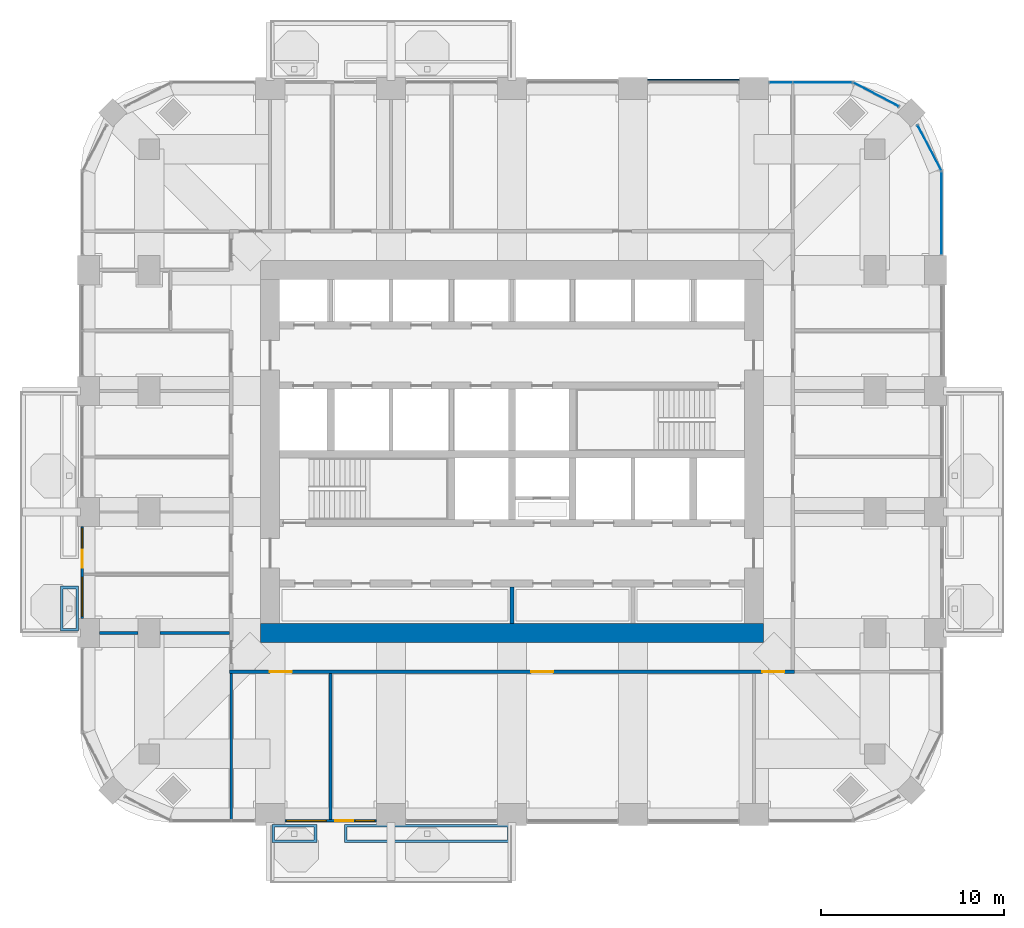
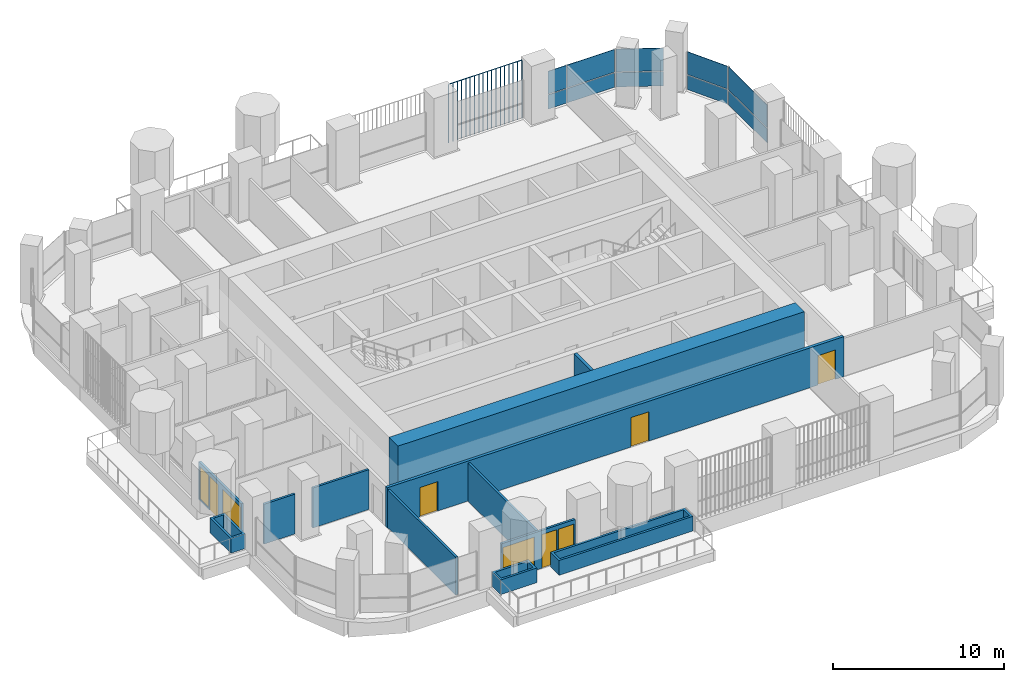
# One storey, part 11 of 20: 12 walls, 11 plates, 5 doors, 4 windows, 9 openings, 4 elements without a shape of their own.
"""IFC4 building model written with IfcOpenShell, lengths in metres."""

from ifc_helpers import new_model, si_unit, direction, frame, frame_2d, origin, origin_2d, place, context, subcontext, project, spatial, polyline, rectangle, outline, extrude, material, layer, layer_set, type_object, element, fill, aggregate, save


model = new_model("IFC4")

# Units and contexts
model_context = context("Model", 3, precision=1e-05, world=origin(), true_north=direction((0.0, 1.0)))
body_context = subcontext(model_context, "Body", "Model", "MODEL_VIEW")
ifc_project = project(units=[si_unit("LENGTHUNIT", "METRE"), si_unit("AREAUNIT", "SQUARE_METRE"), si_unit("VOLUMEUNIT", "CUBIC_METRE"), si_unit("PLANEANGLEUNIT", "RADIAN"), si_unit("MASSUNIT", "GRAM", prefix="KILO")], contexts=[model_context])

# Site, building, storey
site_placement = place(None, origin())
site = spatial("IfcSite", under=ifc_project, at=site_placement, CompositionType="ELEMENT")
building_placement = place(site_placement, origin())
building = spatial("IfcBuilding", under=site, at=building_placement, Name="Cobogo Forest Laboratory Tower", CompositionType="ELEMENT")
storey_placement = place(building_placement, frame((0.0, 0.0, 201.89990234375)))
storey = spatial("IfcBuildingStorey", under=building, at=storey_placement, Name="L46", CompositionType="ELEMENT", Elevation=201.89990234375)

# Curtain wall, plates
ifc_material_1 = material(Name="Aluminium curtain wall", Category="aluminium")
curtain_wall_type = type_object("IfcCurtainWallType", Name="CW-2 unitised curtain wall, solar control glazing, laboratory floors zones C and D", PredefinedType="USERDEFINED", material=ifc_material_1)
curtain_wall_1_placement = place(storey_placement, origin())
curtain_wall_1 = element("IfcCurtainWall", 1, at=curtain_wall_1_placement, inside=storey, type_object=curtain_wall_type, Name="Curtain wall 13 L46", ObjectType="UNITISED CURTAIN WALL", PredefinedType="USERDEFINED")
ifc_material_2 = material(Name="Solar control insulated glass", Category="glass")
ifc_layer_1 = layer(ifc_material_2, 0.031982421875)
ifc_layer_set_1 = layer_set([ifc_layer_1], Name="GP-2 solar control glass unit 32")
plate_type_1 = type_object("IfcPlateType", Name="GP-2 solar control glass unit 32", PredefinedType="CURTAIN_PANEL", material=ifc_layer_set_1)
plate_1_placement = place(storey_placement, frame((49.85009765625, 36.10009765625, 0.0), z_axis=(0.0, 0.0, 1.0), x_axis=(0.0, 1.0, 0.0)))
plate_1 = element("IfcPlate", 2, at=plate_1_placement, type_object=plate_type_1, Name="CW-2 panel 1.1", PredefinedType="CURTAIN_PANEL", context=body_context, shape_type="SweptSolid", body=[
    extrude(rectangle(XDim=4.47998046875, YDim=0.031982421875, at=origin_2d()), origin(), (0.0, 0.0, 1.0), 1.02001953125),
])
plate_2_placement = place(storey_placement, frame((49.85009765625, 36.10009765625, 1.080078125), z_axis=(0.0, 0.0, 1.0), x_axis=(0.0, 1.0, 0.0)))
plate_2 = element("IfcPlate", 3, at=plate_2_placement, type_object=plate_type_1, Name="CW-2 panel 1.2", PredefinedType="CURTAIN_PANEL", context=body_context, shape_type="SweptSolid", body=[
    extrude(rectangle(XDim=4.47998046875, YDim=0.031982421875, at=origin_2d()), origin(), (0.0, 0.0, 1.0), 1.6201171875),
])
aggregate(curtain_wall_1, [plate_1, plate_2])

curtain_wall_2_placement = place(storey_placement, origin())
curtain_wall_2 = element("IfcCurtainWall", 4, at=curtain_wall_2_placement, inside=storey, type_object=curtain_wall_type, Name="Curtain wall 14 L46", ObjectType="UNITISED CURTAIN WALL", PredefinedType="USERDEFINED")
plate_3_placement = place(storey_placement, frame((49.181396484375, 39.675537109375, 0.0), z_axis=(0.0, 0.0, 1.0), x_axis=(-0.464283804832, 0.885686484356, 0.0)))
plate_3 = element("IfcPlate", 5, at=plate_3_placement, type_object=plate_type_1, Name="CW-2 panel 1.1", PredefinedType="CURTAIN_PANEL", context=body_context, shape_type="SweptSolid", body=[
    extrude(rectangle(XDim=2.76025390625, YDim=0.031982421875, at=origin_2d()), origin(), (0.0, 0.0, 1.0), 1.02001953125),
])
plate_4_placement = place(storey_placement, frame((49.181396484375, 39.675537109375, 1.080078125), z_axis=(0.0, 0.0, 1.0), x_axis=(-0.464283804832, 0.885686484356, 0.0)))
plate_4 = element("IfcPlate", 6, at=plate_4_placement, type_object=plate_type_1, Name="CW-2 panel 1.2", PredefinedType="CURTAIN_PANEL", context=body_context, shape_type="SweptSolid", body=[
    extrude(rectangle(XDim=2.76025390625, YDim=0.031982421875, at=origin_2d()), origin(), (0.0, 0.0, 1.0), 1.6201171875),
])
aggregate(curtain_wall_2, [plate_3, plate_4])

curtain_wall_3_placement = place(storey_placement, origin())
curtain_wall_3 = element("IfcCurtainWall", 7, at=curtain_wall_3_placement, inside=storey, type_object=curtain_wall_type, Name="Curtain wall 15 L46", ObjectType="UNITISED CURTAIN WALL", PredefinedType="USERDEFINED")
plate_5_placement = place(storey_placement, frame((46.275634765625, 42.581298828125, 0.0), z_axis=(0.0, 0.0, 1.0), x_axis=(-0.885686484356, 0.464283804832, 0.0)))
plate_5 = element("IfcPlate", 8, at=plate_5_placement, type_object=plate_type_1, Name="CW-2 panel 1.1", PredefinedType="CURTAIN_PANEL", context=body_context, shape_type="SweptSolid", body=[
    extrude(rectangle(XDim=2.76025390625, YDim=0.031982421875, at=origin_2d()), origin(), (0.0, 0.0, 1.0), 1.02001953125),
])
plate_6_placement = place(storey_placement, frame((46.275634765625, 42.581298828125, 1.080078125), z_axis=(0.0, 0.0, 1.0), x_axis=(-0.885686484356, 0.464283804832, 0.0)))
plate_6 = element("IfcPlate", 9, at=plate_6_placement, type_object=plate_type_1, Name="CW-2 panel 1.2", PredefinedType="CURTAIN_PANEL", context=body_context, shape_type="SweptSolid", body=[
    extrude(rectangle(XDim=2.76025390625, YDim=0.031982421875, at=origin_2d()), origin(), (0.0, 0.0, 1.0), 1.6201171875),
])
aggregate(curtain_wall_3, [plate_5, plate_6])

curtain_wall_4_placement = place(storey_placement, origin())
curtain_wall_4 = element("IfcCurtainWall", 10, at=curtain_wall_4_placement, inside=storey, type_object=curtain_wall_type, Name="Curtain wall 16 L46", ObjectType="UNITISED CURTAIN WALL", PredefinedType="USERDEFINED")
plate_7_placement = place(storey_placement, frame((43.347412109375, 43.25, 0.0), z_axis=(0.0, 0.0, 1.0), x_axis=(-1.0, 0.0, 0.0)))
plate_7 = element("IfcPlate", 11, at=plate_7_placement, type_object=plate_type_1, Name="CW-2 panel 1.1", PredefinedType="CURTAIN_PANEL", context=body_context, shape_type="SweptSolid", body=[
    extrude(rectangle(XDim=3.18505859375, YDim=0.031982421875, at=origin_2d()), origin(), (0.0, 0.0, 1.0), 1.02001953125),
])
plate_8_placement = place(storey_placement, frame((43.347412109375, 43.25, 1.080078125), z_axis=(0.0, 0.0, 1.0), x_axis=(-1.0, 0.0, 0.0)))
plate_8 = element("IfcPlate", 12, at=plate_8_placement, type_object=plate_type_1, Name="CW-2 panel 1.2", PredefinedType="CURTAIN_PANEL", context=body_context, shape_type="SweptSolid", body=[
    extrude(rectangle(XDim=3.18505859375, YDim=0.031982421875, at=origin_2d()), origin(), (0.0, 0.0, 1.0), 1.6201171875),
])
plate_9_placement = place(storey_placement, frame((41.077392578125, 43.25, 0.0), z_axis=(0.0, 0.0, 1.0), x_axis=(-1.0, 0.0, 0.0)))
plate_9 = element("IfcPlate", 13, at=plate_9_placement, type_object=plate_type_1, Name="CW-2 panel 2.1", PredefinedType="CURTAIN_PANEL", context=body_context, shape_type="SweptSolid", body=[
    extrude(rectangle(XDim=1.235107421875, YDim=0.031982421875, at=origin_2d()), origin(), (0.0, 0.0, 1.0), 1.02001953125),
])
plate_10_placement = place(storey_placement, frame((41.077392578125, 43.25, 1.080078125), z_axis=(0.0, 0.0, 1.0), x_axis=(-1.0, 0.0, 0.0)))
plate_10 = element("IfcPlate", 14, at=plate_10_placement, type_object=plate_type_1, Name="CW-2 panel 2.2", PredefinedType="CURTAIN_PANEL", context=body_context, shape_type="SweptSolid", body=[
    extrude(rectangle(XDim=1.235107421875, YDim=0.031982421875, at=origin_2d()), origin(), (0.0, 0.0, 1.0), 1.6201171875),
])
aggregate(curtain_wall_4, [plate_7, plate_8, plate_9, plate_10])

# Plate
ifc_material_3 = material(Name="Terracotta", Category="masonry")
plate_type_2 = type_object("IfcPlateType", Name="TB1 terracotta baguette screen", PredefinedType="USERDEFINED", material=ifc_material_3)
plate_11_placement = place(storey_placement, frame((33.831298828125, 43.3779296875, -0.14990234375)))
element("IfcPlate", 15, at=plate_11_placement, inside=storey, type_object=plate_type_2, Name="Baguette screen N4 L46", ObjectType="BAGUETTE SCREEN", PredefinedType="USERDEFINED", context=body_context, shape_type="SweptSolid", body=[
    extrude(outline(polyline([(0.02880859375, 0.011962890625), (0.011962890625, 0.02880859375), (-0.011962890625, 0.02880859375), (-0.02880859375, 0.011962890625), (-0.02880859375, -0.011962890625), (-0.011962890625, -0.02880859375), (0.011962890625, -0.02880859375), (0.02880859375, -0.011962890625), (0.02880859375, 0.011962890625)])), frame((0.0, 0.0, 4.168701171875), z_axis=(1.0, 0.0, 0.0), x_axis=(0.0, 1.0, 0.0)), (0.0, 0.0, 1.0), 4.9375),
    extrude(outline(polyline([(0.02880859375, 0.011962890625), (0.011962890625, 0.02880859375), (-0.011962890625, 0.02880859375), (-0.02880859375, 0.011962890625), (-0.02880859375, -0.011962890625), (-0.011962890625, -0.02880859375), (0.011962890625, -0.02880859375), (0.02880859375, -0.011962890625), (0.02880859375, 0.011962890625)])), origin(), (0.0, 0.0, 1.0), 4.137451171875),
    extrude(outline(polyline([(0.02880859375, 0.011962890625), (0.011962890625, 0.02880859375), (-0.011962890625, 0.02880859375), (-0.02880859375, 0.011962890625), (-0.02880859375, -0.011962890625), (-0.011962890625, -0.02880859375), (0.011962890625, -0.02880859375), (0.02880859375, -0.011962890625), (0.02880859375, 0.011962890625)])), frame((0.29052734375, 0.0, 0.0)), (0.0, 0.0, 1.0), 4.137451171875),
    extrude(outline(polyline([(0.02880859375, 0.011962890625), (0.011962890625, 0.02880859375), (-0.011962890625, 0.02880859375), (-0.02880859375, 0.011962890625), (-0.02880859375, -0.011962890625), (-0.011962890625, -0.02880859375), (0.011962890625, -0.02880859375), (0.02880859375, -0.011962890625), (0.02880859375, 0.011962890625)])), frame((0.580810546875, 0.0, 0.0)), (0.0, 0.0, 1.0), 4.137451171875),
    extrude(outline(polyline([(0.02880859375, 0.011962890625), (0.011962890625, 0.02880859375), (-0.011962890625, 0.02880859375), (-0.02880859375, 0.011962890625), (-0.02880859375, -0.011962890625), (-0.011962890625, -0.02880859375), (0.011962890625, -0.02880859375), (0.02880859375, -0.011962890625), (0.02880859375, 0.011962890625)])), frame((0.871337890625, 0.0, 0.0)), (0.0, 0.0, 1.0), 4.137451171875),
    extrude(outline(polyline([(0.02880859375, 0.011962890625), (0.011962890625, 0.02880859375), (-0.011962890625, 0.02880859375), (-0.02880859375, 0.011962890625), (-0.02880859375, -0.011962890625), (-0.011962890625, -0.02880859375), (0.011962890625, -0.02880859375), (0.02880859375, -0.011962890625), (0.02880859375, 0.011962890625)])), frame((1.161865234375, 0.0, 0.0)), (0.0, 0.0, 1.0), 4.137451171875),
    extrude(outline(polyline([(0.02880859375, 0.011962890625), (0.011962890625, 0.02880859375), (-0.011962890625, 0.02880859375), (-0.02880859375, 0.011962890625), (-0.02880859375, -0.011962890625), (-0.011962890625, -0.02880859375), (0.011962890625, -0.02880859375), (0.02880859375, -0.011962890625), (0.02880859375, 0.011962890625)])), frame((1.4521484375, 0.0, 0.0)), (0.0, 0.0, 1.0), 4.137451171875),
    extrude(outline(polyline([(0.02880859375, 0.011962890625), (0.011962890625, 0.02880859375), (-0.011962890625, 0.02880859375), (-0.02880859375, 0.011962890625), (-0.02880859375, -0.011962890625), (-0.011962890625, -0.02880859375), (0.011962890625, -0.02880859375), (0.02880859375, -0.011962890625), (0.02880859375, 0.011962890625)])), frame((1.74267578125, 0.0, 0.0)), (0.0, 0.0, 1.0), 4.137451171875),
    extrude(outline(polyline([(0.02880859375, 0.011962890625), (0.011962890625, 0.02880859375), (-0.011962890625, 0.02880859375), (-0.02880859375, 0.011962890625), (-0.02880859375, -0.011962890625), (-0.011962890625, -0.02880859375), (0.011962890625, -0.02880859375), (0.02880859375, -0.011962890625), (0.02880859375, 0.011962890625)])), frame((2.033203125, 0.0, 0.0)), (0.0, 0.0, 1.0), 4.137451171875),
    extrude(outline(polyline([(0.02880859375, 0.011962890625), (0.011962890625, 0.02880859375), (-0.011962890625, 0.02880859375), (-0.02880859375, 0.011962890625), (-0.02880859375, -0.011962890625), (-0.011962890625, -0.02880859375), (0.011962890625, -0.02880859375), (0.02880859375, -0.011962890625), (0.02880859375, 0.011962890625)])), frame((2.323486328125, 0.0, 0.0)), (0.0, 0.0, 1.0), 4.137451171875),
    extrude(outline(polyline([(0.02880859375, 0.011962890625), (0.011962890625, 0.02880859375), (-0.011962890625, 0.02880859375), (-0.02880859375, 0.011962890625), (-0.02880859375, -0.011962890625), (-0.011962890625, -0.02880859375), (0.011962890625, -0.02880859375), (0.02880859375, -0.011962890625), (0.02880859375, 0.011962890625)])), frame((2.614013671875, 0.0, 0.0)), (0.0, 0.0, 1.0), 4.137451171875),
    extrude(outline(polyline([(0.02880859375, 0.011962890625), (0.011962890625, 0.02880859375), (-0.011962890625, 0.02880859375), (-0.02880859375, 0.011962890625), (-0.02880859375, -0.011962890625), (-0.011962890625, -0.02880859375), (0.011962890625, -0.02880859375), (0.02880859375, -0.011962890625), (0.02880859375, 0.011962890625)])), frame((2.904296875, 0.0, 0.0)), (0.0, 0.0, 1.0), 4.137451171875),
    extrude(outline(polyline([(0.02880859375, 0.011962890625), (0.011962890625, 0.02880859375), (-0.011962890625, 0.02880859375), (-0.02880859375, 0.011962890625), (-0.02880859375, -0.011962890625), (-0.011962890625, -0.02880859375), (0.011962890625, -0.02880859375), (0.02880859375, -0.011962890625), (0.02880859375, 0.011962890625)])), frame((3.19482421875, 0.0, 0.0)), (0.0, 0.0, 1.0), 4.137451171875),
    extrude(outline(polyline([(0.02880859375, 0.011962890625), (0.011962890625, 0.02880859375), (-0.011962890625, 0.02880859375), (-0.02880859375, 0.011962890625), (-0.02880859375, -0.011962890625), (-0.011962890625, -0.02880859375), (0.011962890625, -0.02880859375), (0.02880859375, -0.011962890625), (0.02880859375, 0.011962890625)])), frame((3.4853515625, 0.0, 0.0)), (0.0, 0.0, 1.0), 4.137451171875),
    extrude(outline(polyline([(0.02880859375, 0.011962890625), (0.011962890625, 0.02880859375), (-0.011962890625, 0.02880859375), (-0.02880859375, 0.011962890625), (-0.02880859375, -0.011962890625), (-0.011962890625, -0.02880859375), (0.011962890625, -0.02880859375), (0.02880859375, -0.011962890625), (0.02880859375, 0.011962890625)])), frame((3.775634765625, 0.0, 0.0)), (0.0, 0.0, 1.0), 4.137451171875),
    extrude(outline(polyline([(0.02880859375, 0.011962890625), (0.011962890625, 0.02880859375), (-0.011962890625, 0.02880859375), (-0.02880859375, 0.011962890625), (-0.02880859375, -0.011962890625), (-0.011962890625, -0.02880859375), (0.011962890625, -0.02880859375), (0.02880859375, -0.011962890625), (0.02880859375, 0.011962890625)])), frame((4.066162109375, 0.0, 0.0)), (0.0, 0.0, 1.0), 4.137451171875),
    extrude(outline(polyline([(0.02880859375, 0.011962890625), (0.011962890625, 0.02880859375), (-0.011962890625, 0.02880859375), (-0.02880859375, 0.011962890625), (-0.02880859375, -0.011962890625), (-0.011962890625, -0.02880859375), (0.011962890625, -0.02880859375), (0.02880859375, -0.011962890625), (0.02880859375, 0.011962890625)])), frame((4.356689453125, 0.0, 0.0)), (0.0, 0.0, 1.0), 4.137451171875),
    extrude(outline(polyline([(0.02880859375, 0.011962890625), (0.011962890625, 0.02880859375), (-0.011962890625, 0.02880859375), (-0.02880859375, 0.011962890625), (-0.02880859375, -0.011962890625), (-0.011962890625, -0.02880859375), (0.011962890625, -0.02880859375), (0.02880859375, -0.011962890625), (0.02880859375, 0.011962890625)])), frame((4.64697265625, 0.0, 0.0)), (0.0, 0.0, 1.0), 4.137451171875),
    extrude(outline(polyline([(0.02880859375, 0.011962890625), (0.011962890625, 0.02880859375), (-0.011962890625, 0.02880859375), (-0.02880859375, 0.011962890625), (-0.02880859375, -0.011962890625), (-0.011962890625, -0.02880859375), (0.011962890625, -0.02880859375), (0.02880859375, -0.011962890625), (0.02880859375, 0.011962890625)])), frame((4.9375, 0.0, 0.0)), (0.0, 0.0, 1.0), 4.137451171875),
])

# Wall
ifc_material_4 = material(Name="Concrete HA-50 (C50/60)", Category="concrete")
ifc_layer_2 = layer(ifc_material_4, 1.050048828125)
ifc_layer_set_2 = layer_set([ifc_layer_2], Name="CW1050 core outer wall 1050")
wall_type_1 = type_object("IfcWallType", Name="CW1050 core outer wall 1050", PredefinedType="SHEAR", material=ifc_layer_set_2)
wall_1_placement = place(storey_placement, frame((12.675048828125, 13.199951171875, 0.0), z_axis=(0.0, 0.0, 1.0), x_axis=(1.0, 0.0, 0.0)))
element("IfcWall", 16, at=wall_1_placement, inside=storey, type_object=wall_type_1, Name="Core wall CO-S L46", PredefinedType="SHEAR", context=body_context, shape_type="SweptSolid", body=[
    extrude(rectangle(XDim=27.449951171875, YDim=1.050048828125, at=frame_2d((13.72509765625, 0.0))), origin(), (0.0, 0.0, 1.0), 4.2001953125),
])

# Wall, openings, door, windows
ifc_material_5 = material(Name="Aluminium framed glazed screen", Category="aluminium")
ifc_layer_3 = layer(ifc_material_5, 0.14990234375)
ifc_layer_set_3 = layer_set([ifc_layer_3], Name="GS1 glazed door screen 150")
wall_type_2 = type_object("IfcWallType", Name="GS1 glazed door screen 150", PredefinedType="SOLIDWALL", material=ifc_layer_set_3)
wall_2_placement = place(storey_placement, frame((14.0, 2.949951171875, 0.0), z_axis=(0.0, 0.0, 1.0), x_axis=(1.0, 0.0, 0.0)))
wall_2 = element("IfcWall", 17, at=wall_2_placement, inside=storey, type_object=wall_type_2, Name="Door screen BAL-S1 L46", PredefinedType="SOLIDWALL", context=body_context, shape_type="SweptSolid", body=[
    extrude(rectangle(XDim=5.0, YDim=0.14990234375, at=frame_2d((2.5, 0.0))), origin(), (0.0, 0.0, 1.0), 2.7001953125),
])
opening_1_placement = place(wall_2_placement, frame((2.75, 0.0, 0.0)))
opening_1 = element("IfcOpeningElement", 18, at=opening_1_placement, cuts=wall_2, Name="Opening L46-D01", PredefinedType="OPENING", context=body_context, shape_type="SweptSolid", body=[
    extrude(rectangle(XDim=1.0, YDim=2.39990234375, at=frame_2d((0.5, 1.199951171875))), frame((0.0, 0.0849609375, 0.0), z_axis=(0.0, -1.0, 0.0), x_axis=(1.0, 0.0, 0.0)), (0.0, 0.0, 1.0), 0.169921875),
])
opening_2_placement = place(wall_2_placement, frame((0.10009765625, 0.0, 0.10009765625)))
opening_2 = element("IfcOpeningElement", 19, at=opening_2_placement, cuts=wall_2, Name="Opening L46-W01", PredefinedType="OPENING", context=body_context, shape_type="SweptSolid", body=[
    extrude(rectangle(XDim=2.14990234375, YDim=2.300048828125, at=frame_2d((1.074951171875, 1.14990234375))), frame((0.0, 0.0849609375, 0.0), z_axis=(0.0, -1.0, 0.0), x_axis=(1.0, 0.0, 0.0)), (0.0, 0.0, 1.0), 0.169921875),
])
opening_3_placement = place(wall_2_placement, frame((3.85009765625, 0.0, 0.10009765625)))
opening_3 = element("IfcOpeningElement", 20, at=opening_3_placement, cuts=wall_2, Name="Opening L46-W02", PredefinedType="OPENING", context=body_context, shape_type="SweptSolid", body=[
    extrude(rectangle(XDim=1.050048828125, YDim=2.300048828125, at=frame_2d((0.52490234375, 1.14990234375))), frame((0.0, 0.0849609375, 0.0), z_axis=(0.0, -1.0, 0.0), x_axis=(1.0, 0.0, 0.0)), (0.0, 0.0, 1.0), 0.169921875),
])
ifc_material_6 = material(Name="Aluminium glazed door", Category="aluminium")
door_type_1 = type_object("IfcDoorType", Name="DB1 balcony door 1000 glazed", OperationType="SINGLE_SWING_LEFT", PredefinedType="DOOR", material=ifc_material_6)
door_1_placement = place(opening_1_placement, origin())
door_1 = element("IfcDoor", 21, at=door_1_placement, inside=storey, type_object=door_type_1, Name="Door L46-BAL-S1", OperationType="SINGLE_SWING_RIGHT", OverallHeight=2.39990234375, OverallWidth=1.0, PredefinedType="DOOR", context=body_context, shape_type="SweptSolid", body=[
    extrude(rectangle(XDim=1.0, YDim=2.39990234375, at=frame_2d((0.5, 1.199951171875))), frame((0.0, 0.02490234375, 0.0), z_axis=(0.0, -1.0, 0.0), x_axis=(1.0, 0.0, 0.0)), (0.0, 0.0, 1.0), 0.050048828125),
])
fill(opening_1, door_1)
ifc_material_7 = material(Name="Aluminium framed glazing", Category="aluminium")
window_type_1 = type_object("IfcWindowType", Name="WG13 fixed glazed light 2150x2300", PartitioningType="SINGLE_PANEL", PredefinedType="WINDOW", material=ifc_material_7)
window_1_placement = place(opening_2_placement, origin())
window_1 = element("IfcWindow", 22, at=window_1_placement, inside=storey, type_object=window_type_1, Name="Window L46-BAL-S1-1", OverallHeight=2.300048828125, OverallWidth=2.14990234375, PartitioningType="SINGLE_PANEL", PredefinedType="WINDOW", context=body_context, shape_type="SweptSolid", body=[
    extrude(rectangle(XDim=2.14990234375, YDim=2.300048828125, at=frame_2d((1.074951171875, 1.14990234375))), frame((0.0, 0.030029296875, 0.0), z_axis=(0.0, -1.0, 0.0), x_axis=(1.0, 0.0, 0.0)), (0.0, 0.0, 1.0), 0.06005859375),
])
fill(opening_2, window_1)
window_type_2 = type_object("IfcWindowType", Name="WG14 fixed glazed light 1050x2300", PartitioningType="SINGLE_PANEL", PredefinedType="WINDOW", material=ifc_material_7)
window_2_placement = place(opening_3_placement, origin())
window_2 = element("IfcWindow", 23, at=window_2_placement, inside=storey, type_object=window_type_2, Name="Window L46-BAL-S1-2", OverallHeight=2.300048828125, OverallWidth=1.050048828125, PartitioningType="SINGLE_PANEL", PredefinedType="WINDOW", context=body_context, shape_type="SweptSolid", body=[
    extrude(rectangle(XDim=1.050048828125, YDim=2.300048828125, at=frame_2d((0.52490234375, 1.14990234375))), frame((0.0, 0.030029296875, 0.0), z_axis=(0.0, -1.0, 0.0), x_axis=(1.0, 0.0, 0.0)), (0.0, 0.0, 1.0), 0.06005859375),
])
fill(opening_3, window_2)

wall_3_placement = place(storey_placement, frame((2.949951171875, 19.0, 0.0), z_axis=(0.0, 0.0, 1.0), x_axis=(0.0, -1.0, 0.0)))
wall_3 = element("IfcWall", 24, at=wall_3_placement, inside=storey, type_object=wall_type_2, Name="Door screen BAL-W1 L46", PredefinedType="SOLIDWALL", context=body_context, shape_type="SweptSolid", body=[
    extrude(rectangle(XDim=5.0, YDim=0.14990234375, at=frame_2d((2.5, 0.0))), origin(), (0.0, 0.0, 1.0), 2.7001953125),
])
opening_4_placement = place(wall_3_placement, frame((1.25, 0.0, 0.0)))
opening_4 = element("IfcOpeningElement", 25, at=opening_4_placement, cuts=wall_3, Name="Opening L46-D16", PredefinedType="OPENING", context=body_context, shape_type="SweptSolid", body=[
    extrude(rectangle(XDim=1.0, YDim=2.39990234375, at=frame_2d((0.5, 1.199951171875))), frame((0.0, 0.0849609375, 0.0), z_axis=(0.0, -1.0, 0.0), x_axis=(1.0, 0.0, 0.0)), (0.0, 0.0, 1.0), 0.169921875),
])
opening_5_placement = place(wall_3_placement, frame((0.10009765625, 0.0, 0.10009765625)))
opening_5 = element("IfcOpeningElement", 26, at=opening_5_placement, cuts=wall_3, Name="Opening L46-W05", PredefinedType="OPENING", context=body_context, shape_type="SweptSolid", body=[
    extrude(rectangle(XDim=1.050048828125, YDim=2.300048828125, at=frame_2d((0.52490234375, 1.14990234375))), frame((0.0, 0.0849609375, 0.0), z_axis=(0.0, -1.0, 0.0), x_axis=(1.0, 0.0, 0.0)), (0.0, 0.0, 1.0), 0.169921875),
])
opening_6_placement = place(wall_3_placement, frame((2.75, 0.0, 0.10009765625)))
opening_6 = element("IfcOpeningElement", 27, at=opening_6_placement, cuts=wall_3, Name="Opening L46-W03", PredefinedType="OPENING", context=body_context, shape_type="SweptSolid", body=[
    extrude(rectangle(XDim=2.14990234375, YDim=2.300048828125, at=frame_2d((1.074951171875, 1.14990234375))), frame((0.0, 0.0849609375, 0.0), z_axis=(0.0, -1.0, 0.0), x_axis=(1.0, 0.0, 0.0)), (0.0, 0.0, 1.0), 0.169921875),
])
door_2_placement = place(opening_4_placement, origin())
door_2 = element("IfcDoor", 28, at=door_2_placement, inside=storey, type_object=door_type_1, Name="Door L46-BAL-W1", OperationType="SINGLE_SWING_LEFT", OverallHeight=2.39990234375, OverallWidth=1.0, PredefinedType="DOOR", context=body_context, shape_type="SweptSolid", body=[
    extrude(rectangle(XDim=1.0, YDim=2.39990234375, at=frame_2d((0.5, 1.199951171875))), frame((0.0, 0.02490234375, 0.0), z_axis=(0.0, -1.0, 0.0), x_axis=(1.0, 0.0, 0.0)), (0.0, 0.0, 1.0), 0.050048828125),
])
fill(opening_4, door_2)
window_3_placement = place(opening_6_placement, origin())
window_3 = element("IfcWindow", 29, at=window_3_placement, inside=storey, type_object=window_type_1, Name="Window L46-BAL-W1-2", OverallHeight=2.300048828125, OverallWidth=2.14990234375, PartitioningType="SINGLE_PANEL", PredefinedType="WINDOW", context=body_context, shape_type="SweptSolid", body=[
    extrude(rectangle(XDim=2.14990234375, YDim=2.300048828125, at=frame_2d((1.074951171875, 1.14990234375))), frame((0.0, 0.030029296875, 0.0), z_axis=(0.0, -1.0, 0.0), x_axis=(1.0, 0.0, 0.0)), (0.0, 0.0, 1.0), 0.06005859375),
])
fill(opening_6, window_3)
window_4_placement = place(opening_5_placement, origin())
window_4 = element("IfcWindow", 30, at=window_4_placement, inside=storey, type_object=window_type_2, Name="Window L46-BAL-W1-1", OverallHeight=2.300048828125, OverallWidth=1.050048828125, PartitioningType="SINGLE_PANEL", PredefinedType="WINDOW", context=body_context, shape_type="SweptSolid", body=[
    extrude(rectangle(XDim=1.050048828125, YDim=2.300048828125, at=frame_2d((0.52490234375, 1.14990234375))), frame((0.0, 0.030029296875, 0.0), z_axis=(0.0, -1.0, 0.0), x_axis=(1.0, 0.0, 0.0)), (0.0, 0.0, 1.0), 0.06005859375),
])
fill(opening_5, window_4)

# Walls
ifc_material_8 = material(Name="Gypsum board on steel studs", Category="steel")
ifc_layer_4 = layer(ifc_material_8, 0.14990234375)
ifc_layer_set_4 = layer_set([ifc_layer_4], Name="PT1 laboratory partition 150")
wall_type_3 = type_object("IfcWallType", Name="PT1 laboratory partition 150", PredefinedType="PARTITIONING", material=ifc_layer_set_4)
for number, where, z_axis, x_axis, name in (
    (31, (11.074951171875, 3.030029296875, 0.0), (0.0, 0.0, 1.0), (0.0, 1.0, 0.0), "Partition PW-SW L46"),
    (32, (16.5, 3.030029296875, 0.0), (0.0, 0.0, 1.0), (0.0, 1.0, 0.0), "Partition CUT-S16.5-1 L46"),
):
    element("IfcWall", number, at=place(storey_placement, frame(where, z_axis=z_axis, x_axis=x_axis)), inside=storey, type_object=wall_type_3, Name=name, PredefinedType="PARTITIONING", context=body_context, shape_type="SweptSolid", body=[
        extrude(rectangle(XDim=7.945068359375, YDim=0.14990234375, at=frame_2d((3.97265625, 0.0))), origin(), (0.0, 0.0, 1.0), 2.7001953125),
    ])
wall_4_placement = place(storey_placement, frame((3.89990234375, 13.199951171875, 0.0), z_axis=(0.0, 0.0, 1.0), x_axis=(1.0, 0.0, 0.0)))
element("IfcWall", 33, at=wall_4_placement, inside=storey, type_object=wall_type_3, Name="Partition CUT-W13.2-1 L46", PredefinedType="PARTITIONING", context=body_context, shape_type="SweptSolid", body=[
    extrude(rectangle(XDim=2.10009765625, YDim=0.14990234375, at=frame_2d((1.050048828125, 0.0))), origin(), (0.0, 0.0, 1.0), 2.85009765625),
])
wall_5_placement = place(storey_placement, frame((7.199951171875, 13.199951171875, 0.0), z_axis=(0.0, 0.0, 1.0), x_axis=(1.0, 0.0, 0.0)))
element("IfcWall", 34, at=wall_5_placement, inside=storey, type_object=wall_type_3, Name="Partition CUT-W13.2-2 L46", PredefinedType="PARTITIONING", context=body_context, shape_type="SweptSolid", body=[
    extrude(rectangle(XDim=3.775146484375, YDim=0.14990234375, at=frame_2d((1.8876953125, 0.0))), origin(), (0.0, 0.0, 1.0), 2.85009765625),
])

# Wall, openings, doors
ifc_layer_5 = layer(ifc_material_8, 0.199951171875)
ifc_layer_set_5 = layer_set([ifc_layer_5], Name="PT2 fire-rated corridor partition 200")
wall_type_4 = type_object("IfcWallType", Name="PT2 fire-rated corridor partition 200", PredefinedType="PARTITIONING", material=ifc_layer_set_5)
wall_6_placement = place(storey_placement, frame((10.97509765625, 11.074951171875, 0.0), z_axis=(0.0, 0.0, 1.0), x_axis=(1.0, 0.0, 0.0)))
wall_6 = element("IfcWall", 35, at=wall_6_placement, inside=storey, type_object=wall_type_4, Name="Partition CORR-S L46", PredefinedType="PARTITIONING", context=body_context, shape_type="SweptSolid", body=[
    extrude(rectangle(XDim=30.849853515625, YDim=0.199951171875, at=frame_2d((15.4248046875, 0.0))), origin(), (0.0, 0.0, 1.0), 2.85009765625),
])
opening_7_placement = place(wall_6_placement, frame((2.21240234375, 0.0, 0.0)))
opening_7 = element("IfcOpeningElement", 36, at=opening_7_placement, cuts=wall_6, Name="Opening L46-D02", PredefinedType="OPENING", context=body_context, shape_type="SweptSolid", body=[
    extrude(rectangle(XDim=1.199951171875, YDim=2.10009765625, at=frame_2d((0.60009765625, 1.050048828125))), frame((0.0, 0.10986328125, 0.0), z_axis=(0.0, -1.0, 0.0), x_axis=(1.0, 0.0, 0.0)), (0.0, 0.0, 1.0), 0.219970703125),
])
opening_8_placement = place(wall_6_placement, frame((16.47509765625, 0.0, 0.0)))
opening_8 = element("IfcOpeningElement", 37, at=opening_8_placement, cuts=wall_6, Name="Opening L46-D03", PredefinedType="OPENING", context=body_context, shape_type="SweptSolid", body=[
    extrude(rectangle(XDim=1.199951171875, YDim=2.10009765625, at=frame_2d((0.60009765625, 1.050048828125))), frame((0.0, 0.10986328125, 0.0), z_axis=(0.0, -1.0, 0.0), x_axis=(1.0, 0.0, 0.0)), (0.0, 0.0, 1.0), 0.219970703125),
])
opening_9_placement = place(wall_6_placement, frame((29.08740234375, 0.0, 0.0)))
opening_9 = element("IfcOpeningElement", 38, at=opening_9_placement, cuts=wall_6, Name="Opening L46-D04", PredefinedType="OPENING", context=body_context, shape_type="SweptSolid", body=[
    extrude(rectangle(XDim=1.199951171875, YDim=2.10009765625, at=frame_2d((0.60009765625, 1.050048828125))), frame((0.0, 0.10986328125, 0.0), z_axis=(0.0, -1.0, 0.0), x_axis=(1.0, 0.0, 0.0)), (0.0, 0.0, 1.0), 0.219970703125),
])
ifc_material_9 = material(Name="Timber door", Category="wood")
door_type_2 = type_object("IfcDoorType", Name="D2 laboratory door 1200 unequal pair", OperationType="DOUBLE_DOOR_SINGLE_SWING", PredefinedType="DOOR", material=ifc_material_9)
door_3_placement = place(opening_7_placement, origin())
door_3 = element("IfcDoor", 39, at=door_3_placement, inside=storey, type_object=door_type_2, Name="Door L46-S1", OperationType="DOUBLE_DOOR_SINGLE_SWING", OverallHeight=2.10009765625, OverallWidth=1.199951171875, PredefinedType="DOOR", context=body_context, shape_type="SweptSolid", body=[
    extrude(rectangle(XDim=1.199951171875, YDim=2.10009765625, at=frame_2d((0.60009765625, 1.050048828125))), frame((0.0, 0.02490234375, 0.0), z_axis=(0.0, -1.0, 0.0), x_axis=(1.0, 0.0, 0.0)), (0.0, 0.0, 1.0), 0.050048828125),
])
fill(opening_7, door_3)
door_4_placement = place(opening_8_placement, origin())
door_4 = element("IfcDoor", 40, at=door_4_placement, inside=storey, type_object=door_type_2, Name="Door L46-S2", OperationType="DOUBLE_DOOR_SINGLE_SWING", OverallHeight=2.10009765625, OverallWidth=1.199951171875, PredefinedType="DOOR", context=body_context, shape_type="SweptSolid", body=[
    extrude(rectangle(XDim=1.199951171875, YDim=2.10009765625, at=frame_2d((0.60009765625, 1.050048828125))), frame((0.0, 0.02490234375, 0.0), z_axis=(0.0, -1.0, 0.0), x_axis=(1.0, 0.0, 0.0)), (0.0, 0.0, 1.0), 0.050048828125),
])
fill(opening_8, door_4)
door_5_placement = place(opening_9_placement, origin())
door_5 = element("IfcDoor", 41, at=door_5_placement, inside=storey, type_object=door_type_2, Name="Door L46-S3", OperationType="DOUBLE_DOOR_SINGLE_SWING", OverallHeight=2.10009765625, OverallWidth=1.199951171875, PredefinedType="DOOR", context=body_context, shape_type="SweptSolid", body=[
    extrude(rectangle(XDim=1.199951171875, YDim=2.10009765625, at=frame_2d((0.60009765625, 1.050048828125))), frame((0.0, 0.02490234375, 0.0), z_axis=(0.0, -1.0, 0.0), x_axis=(1.0, 0.0, 0.0)), (0.0, 0.0, 1.0), 0.050048828125),
])
fill(opening_9, door_5)

# Walls
ifc_material_10 = material(Name="Concrete HA-40 (C40/50)", Category="concrete")
ifc_layer_6 = layer(ifc_material_10, 0.14990234375)
ifc_layer_set_6 = layer_set([ifc_layer_6], Name="Planter box 1000x1050")
wall_type_5 = type_object("IfcWallType", Name="Planter box 1000x1050", PredefinedType="USERDEFINED", material=ifc_layer_set_6)
wall_7_placement = place(storey_placement, origin())
element("IfcWall", 42, at=wall_7_placement, inside=storey, type_object=wall_type_5, Name="Planter BAL-S1-1 L46", ObjectType="PLANTER", PredefinedType="USERDEFINED", context=body_context, shape_type="SweptSolid", body=[
    extrude(outline(polyline([(13.300048828125, 1.75), (15.75, 1.75), (15.75, 2.75), (13.300048828125, 2.75), (13.300048828125, 1.75)]), holes=[polyline([(13.449951171875, 1.89990234375), (15.60009765625, 1.89990234375), (15.60009765625, 2.60009765625), (13.449951171875, 2.60009765625), (13.449951171875, 1.89990234375)])]), origin(), (0.0, 0.0, 1.0), 1.050048828125),
])
wall_8_placement = place(storey_placement, origin())
element("IfcWall", 43, at=wall_8_placement, inside=storey, type_object=wall_type_5, Name="Planter BAL-S1-2 L46", ObjectType="PLANTER", PredefinedType="USERDEFINED", context=body_context, shape_type="SweptSolid", body=[
    extrude(outline(polyline([(17.25, 1.75), (26.300048828125, 1.75), (26.300048828125, 2.75), (17.25, 2.75), (17.25, 1.75)]), holes=[polyline([(17.39990234375, 1.89990234375), (26.14990234375, 1.89990234375), (26.14990234375, 2.60009765625), (17.39990234375, 2.60009765625), (17.39990234375, 1.89990234375)])]), origin(), (0.0, 0.0, 1.0), 1.050048828125),
])
wall_9_placement = place(storey_placement, origin())
element("IfcWall", 44, at=wall_9_placement, inside=storey, type_object=wall_type_5, Name="Planter BAL-W1-1 L46", ObjectType="PLANTER", PredefinedType="USERDEFINED", context=body_context, shape_type="SweptSolid", body=[
    extrude(outline(polyline([(1.75, 13.300048828125), (2.75, 13.300048828125), (2.75, 15.75), (1.75, 15.75), (1.75, 13.300048828125)]), holes=[polyline([(1.89990234375, 13.449951171875), (2.60009765625, 13.449951171875), (2.60009765625, 15.60009765625), (1.89990234375, 15.60009765625), (1.89990234375, 13.449951171875)])]), origin(), (0.0, 0.0, 1.0), 1.050048828125),
])
ifc_material_11 = material(Name="Concrete block", Category="concrete")
ifc_layer_7 = layer(ifc_material_11, 0.199951171875)
ifc_layer_set_7 = layer_set([ifc_layer_7], Name="SW200 lift shaft separator 200")
wall_type_6 = type_object("IfcWallType", Name="SW200 lift shaft separator 200", PredefinedType="PARTITIONING", material=ifc_layer_set_7)
wall_10_placement = place(storey_placement, frame((26.39990234375, 13.72509765625, 0.0), z_axis=(0.0, 0.0, 1.0), x_axis=(0.0, 1.0, 0.0)))
element("IfcWall", 45, at=wall_10_placement, inside=storey, type_object=wall_type_6, Name="Core wall SEP-S4 L46", PredefinedType="PARTITIONING", context=body_context, shape_type="SweptSolid", body=[
    extrude(rectangle(XDim=1.974853515625, YDim=0.199951171875, at=frame_2d((0.9873046875, 0.0))), origin(), (0.0, 0.0, 1.0), 4.2001953125),
])

save(model, "model.ifc")
